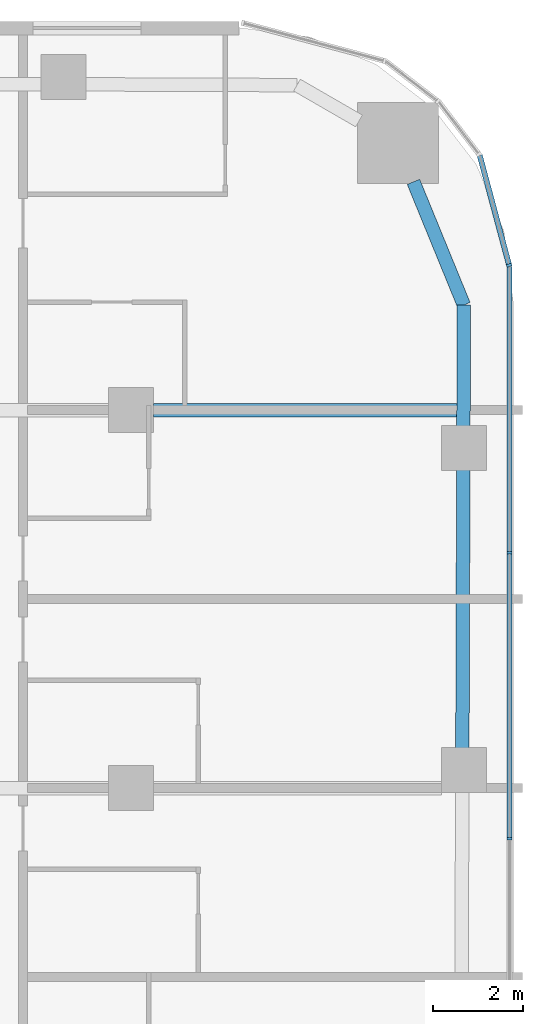
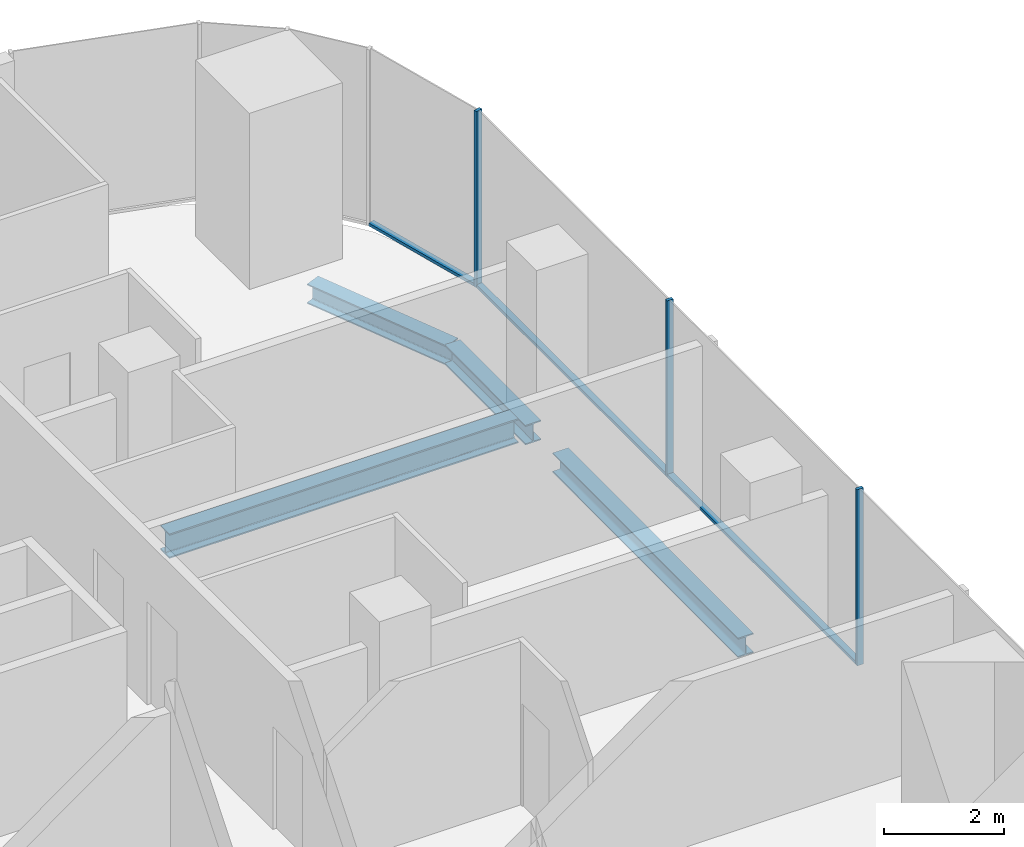
# One storey, part 12 of 26: 6 members, 4 beams, 2 elements without a shape of their own.
"""IFC4 building model written with IfcOpenShell, lengths in metres."""

from ifc_helpers import new_model, si_unit, direction, frame, origin, origin_2d, place, context, subcontext, project, spatial, rectangle, i_section, extrude, material, layer, layer_set, material_profile, profile_set, type_object, element, aggregate, save


model = new_model("IFC4")

# Units and contexts
model_context = context("Model", 3, precision=1e-05, world=origin(), true_north=direction((0.0, 1.0)))
body_context = subcontext(model_context, "Body", "Model", "MODEL_VIEW")
ifc_project = project(units=[si_unit("LENGTHUNIT", "METRE"), si_unit("AREAUNIT", "SQUARE_METRE"), si_unit("VOLUMEUNIT", "CUBIC_METRE"), si_unit("PLANEANGLEUNIT", "RADIAN"), si_unit("MASSUNIT", "GRAM", prefix="KILO")], contexts=[model_context])

# Site, building, storey
site_placement = place(None, origin())
site = spatial("IfcSite", under=ifc_project, at=site_placement, CompositionType="ELEMENT")
building_placement = place(site_placement, origin())
building = spatial("IfcBuilding", under=site, at=building_placement, Name="Marenta Gate Hotel Tower", CompositionType="ELEMENT")
storey_placement = place(building_placement, frame((0.0, 0.0, 65.300048828125)))
storey = spatial("IfcBuildingStorey", under=building, at=storey_placement, Name="L14", CompositionType="ELEMENT", Elevation=65.300048828125)

# Beams
ifc_material_1 = material(Name="Steel S355", Category="steel")
ifc_material_profile_1 = material_profile(ifc_material_1, i_section(OverallWidth=0.300048828125, OverallDepth=0.39990234375, WebThickness=0.013427734375, FlangeThickness=0.02392578125, FilletRadius=0.027099609375, at=origin_2d()), Name="HEB 400")
ifc_profile_set_1 = profile_set([ifc_material_profile_1], Name="Steel S355")
beam_type_1 = type_object("IfcBeamType", Name="Edge beam HEB 400", PredefinedType="SPANDREL", material=ifc_profile_set_1)
beam_1_placement = place(storey_placement, frame((27.280029296875, 30.2724609375, -0.4599609375), z_axis=(0.378565359962, -0.925574561144, 0.0), x_axis=(0.925574561144, 0.378565359962, 0.0)))
element("IfcBeam", 1, at=beam_1_placement, inside=storey, type_object=beam_type_1, Name="L14-EB-21", PredefinedType="SPANDREL", context=body_context, shape_type="SweptSolid", body=[
    extrude(i_section(OverallWidth=0.300048828125, OverallDepth=0.39990234375, WebThickness=0.013427734375, FlangeThickness=0.02392578125, FilletRadius=0.027099609375, at=origin_2d()), origin(), (0.0, 0.0, 1.0), 2.958251953125),
])
beam_2_placement = place(storey_placement, frame((28.39990234375, 27.534423828125, -0.4599609375), z_axis=(-0.003323434444, -0.999994477376, 0.0), x_axis=(0.999994477376, -0.003323434444, 0.0)))
element("IfcBeam", 2, at=beam_2_placement, inside=storey, type_object=beam_type_1, Name="L14-EB-22", PredefinedType="SPANDREL", context=body_context, shape_type="SweptSolid", body=[
    extrude(i_section(OverallWidth=0.300048828125, OverallDepth=0.39990234375, WebThickness=0.013427734375, FlangeThickness=0.02392578125, FilletRadius=0.027099609375, at=origin_2d()), origin(), (0.0, 0.0, 1.0), 2.718017578125),
])
beam_3_placement = place(storey_placement, frame((28.387939453125, 23.896484375, -0.4599609375), z_axis=(-0.003329137121, -0.999994458408, 0.0), x_axis=(0.999994458408, -0.003329137121, 0.0)))
element("IfcBeam", 3, at=beam_3_placement, inside=storey, type_object=beam_type_1, Name="L14-EB-23", PredefinedType="SPANDREL", context=body_context, shape_type="SweptSolid", body=[
    extrude(i_section(OverallWidth=0.300048828125, OverallDepth=0.39990234375, WebThickness=0.013427734375, FlangeThickness=0.02392578125, FilletRadius=0.027099609375, at=origin_2d()), origin(), (0.0, 0.0, 1.0), 6.2333984375),
])
ifc_material_2 = material(Name="Steel S355", Category="steel")
ifc_material_profile_2 = material_profile(ifc_material_2, i_section(OverallWidth=0.300048828125, OverallDepth=0.5, WebThickness=0.014404296875, FlangeThickness=0.028076171875, FilletRadius=0.027099609375, at=origin_2d()), Name="HEB 500")
ifc_profile_set_2 = profile_set([ifc_material_profile_2], Name="Steel S355")
beam_type_2 = type_object("IfcBeamType", Name="Girder HEB 500", PredefinedType="BEAM", material=ifc_profile_set_2)
beam_4_placement = place(storey_placement, frame((21.5, 25.199951171875, -0.510009765625), z_axis=(1.0, 0.0, 0.0), x_axis=(0.0, 1.0, 0.0)))
element("IfcBeam", 4, at=beam_4_placement, inside=storey, type_object=beam_type_2, Name="L14-GD-28", PredefinedType="BEAM", context=body_context, shape_type="SweptSolid", body=[
    extrude(i_section(OverallWidth=0.300048828125, OverallDepth=0.5, WebThickness=0.014404296875, FlangeThickness=0.028076171875, FilletRadius=0.027099609375, at=origin_2d()), origin(), (0.0, 0.0, 1.0), 6.7421875),
])

# Curtain wall, members
ifc_material_3 = material(Name="Tinted insulated glass in bronze anodised frame", Category="glass")
ifc_layer = layer(ifc_material_3, 0.1201171875)
ifc_layer_set = layer_set([ifc_layer], Name="Tinted insulated glass in bronze anodised frame")
curtain_wall_type = type_object("IfcCurtainWallType", Name="Tower unitised curtain wall CW1", PredefinedType="NOTDEFINED", material=ifc_layer_set)
curtain_wall_1_placement = place(storey_placement, origin())
curtain_wall_1 = element("IfcCurtainWall", 5, at=curtain_wall_1_placement, inside=storey, type_object=curtain_wall_type, Name="CW1 run G11", PredefinedType="NOTDEFINED")
ifc_material_4 = material(Name="Bronze anodised aluminium", Category="aluminium")
ifc_material_profile_3 = material_profile(ifc_material_4, rectangle(XDim=0.1201171875, YDim=0.06005859375, at=origin_2d()), Name="Mullion CW1 60x120 bronze anodised aluminium")
ifc_profile_set_3 = profile_set([ifc_material_profile_3], Name="Bronze anodised aluminium")
member_type_1 = type_object("IfcMemberType", Name="Mullion CW1 60x120 bronze anodised aluminium", PredefinedType="MULLION", material=ifc_profile_set_3)
member_1_placement = place(storey_placement, frame((29.4140625, 15.671875, 0.0), z_axis=(0.0, 0.0, 1.0), x_axis=(-1.0, 0.0, 0.0)))
member_1 = element("IfcMember", 6, at=member_1_placement, type_object=member_type_1, Name="CW1 mullion 5", PredefinedType="MULLION", context=body_context, shape_type="SweptSolid", body=[
    extrude(rectangle(XDim=0.1201171875, YDim=0.06005859375, at=origin_2d()), origin(), (0.0, 0.0, 1.0), 3.599853515625),
])
member_2_placement = place(storey_placement, frame((29.4140625, 22.031982421875, 0.0), z_axis=(0.0, 0.0, 1.0), x_axis=(-1.0, 0.0, 0.0)))
member_2 = element("IfcMember", 7, at=member_2_placement, type_object=member_type_1, Name="CW1 mullion 6", PredefinedType="MULLION", context=body_context, shape_type="SweptSolid", body=[
    extrude(rectangle(XDim=0.1201171875, YDim=0.06005859375, at=origin_2d()), origin(), (0.0, 0.0, 1.0), 3.599853515625),
])

# Curtain wall, member
curtain_wall_2_placement = place(storey_placement, origin())
curtain_wall_2 = element("IfcCurtainWall", 8, at=curtain_wall_2_placement, inside=storey, type_object=curtain_wall_type, Name="CW1 run G12", PredefinedType="NOTDEFINED")
member_3_placement = place(storey_placement, frame((29.40625, 28.4208984375, 0.0), z_axis=(0.0, 0.0, 1.0), x_axis=(-0.965925039579, -0.258821981125, 0.0)))
member_3 = element("IfcMember", 9, at=member_3_placement, type_object=member_type_1, Name="CW1 mullion 1", PredefinedType="MULLION", context=body_context, shape_type="SweptSolid", body=[
    extrude(rectangle(XDim=0.1201171875, YDim=0.06005859375, at=origin_2d()), origin(), (0.0, 0.0, 1.0), 3.599853515625),
])

# Member
ifc_material_5 = material(Name="Bronze anodised aluminium", Category="aluminium")
ifc_material_profile_4 = material_profile(ifc_material_5, rectangle(XDim=0.1201171875, YDim=0.06005859375, at=origin_2d()), Name="Transom CW1 60x120 bronze anodised aluminium")
ifc_profile_set_4 = profile_set([ifc_material_profile_4], Name="Bronze anodised aluminium")
member_type_2 = type_object("IfcMemberType", Name="Transom CW1 60x120 bronze anodised aluminium", PredefinedType="USERDEFINED", material=ifc_profile_set_4)
member_4_placement = place(storey_placement, frame((29.4140625, 15.701904296875, 0.030029296875), z_axis=(0.0, 1.0, 0.0), x_axis=(-1.0, 0.0, 0.0)))
member_4 = element("IfcMember", 10, at=member_4_placement, type_object=member_type_2, Name="CW1 transom 5.1", ObjectType="TRANSOM", PredefinedType="USERDEFINED", context=body_context, shape_type="SweptSolid", body=[
    extrude(rectangle(XDim=0.1201171875, YDim=0.06005859375, at=origin_2d()), origin(), (0.0, 0.0, 1.0), 6.300048828125),
])

member_5_placement = place(storey_placement, frame((29.4140625, 22.06201171875, 0.030029296875), z_axis=(0.0, 1.0, 0.0), x_axis=(-1.0, 0.0, 0.0)))
member_5 = element("IfcMember", 11, at=member_5_placement, type_object=member_type_2, Name="CW1 transom 6.1", ObjectType="TRANSOM", PredefinedType="USERDEFINED", context=body_context, shape_type="SweptSolid", body=[
    extrude(rectangle(XDim=0.1201171875, YDim=0.06005859375, at=origin_2d()), origin(), (0.0, 0.0, 1.0), 6.329833984375),
])

aggregate(curtain_wall_1, [member_1, member_2, member_4, member_5])

member_6_placement = place(storey_placement, frame((29.3984375, 28.449951171875, 0.030029296875), z_axis=(-0.258859731326, 0.96591492353, 0.0), x_axis=(-0.96591492353, -0.258859731326, 0.0)))
member_6 = element("IfcMember", 12, at=member_6_placement, type_object=member_type_2, Name="CW1 transom 1.1", ObjectType="TRANSOM", PredefinedType="USERDEFINED", context=body_context, shape_type="SweptSolid", body=[
    extrude(rectangle(XDim=0.1201171875, YDim=0.06005859375, at=origin_2d()), origin(), (0.0, 0.0, 1.0), 2.500244140625),
])

aggregate(curtain_wall_2, [member_3, member_6])

save(model, "model.ifc")
